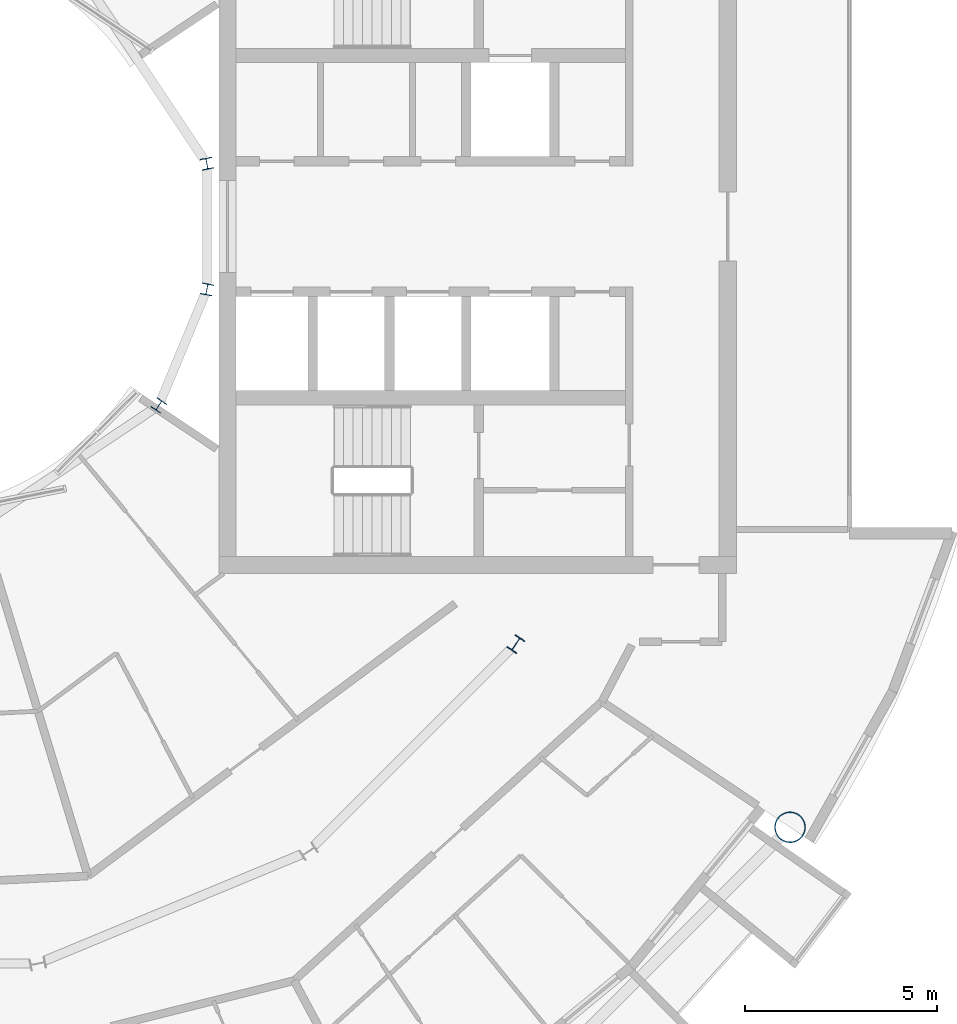
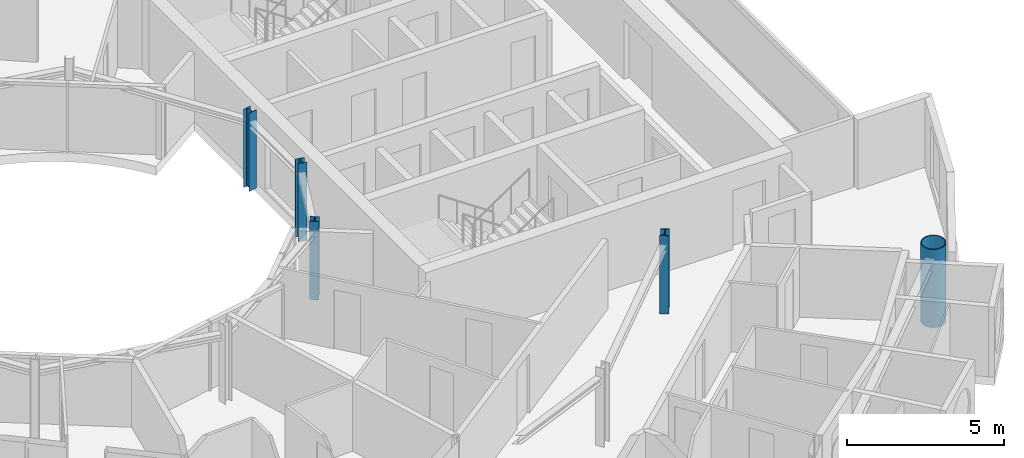
# One storey, part 3 of 29: 5 columns.
"""IFC4 building model written with IfcOpenShell, lengths in metres."""

import ifcopenshell
import ifcopenshell.guid

model = None  # the IFC model being written
_history = None  # IfcOwnerHistory: only IFC2X3 demands one
_inside = {}  # id of a spatial element -> (the spatial element, [elements in it])
_under = {}  # id of a project, library or spatial element -> (it, [spatial elements below it])
_declared = {}  # id of a project -> (the project, [libraries it declares])
_typed = {}  # id of a type object -> (the type object, [elements of that type])
_made_of = {}  # id of a material, layer set ... -> (it, [elements and type objects made of it])


def new_model(schema):
    """Start an empty IFC model of exactly this schema.

    Asked for "IFC4X3", IfcOpenShell would pick the latest addendum, in which some entities
    have other attributes; the version numbers below select the first issue.
    IFC2X3 requires an IfcOwnerHistory on every rooted entity: one is made here for all.
    """
    global model, _history
    if schema == "IFC4X3":
        model = ifcopenshell.file(schema_version=(4, 3, 0, 0))
    else:
        model = ifcopenshell.file(schema=schema)
    _inside.clear()
    _under.clear()
    _declared.clear()
    _typed.clear()
    _made_of.clear()
    _history = None
    if model.schema == "IFC2X3":
        org = make("IfcOrganization", Name="unknown")
        user = make(
            "IfcPersonAndOrganization",
            ThePerson=make("IfcPerson", FamilyName="unknown"),
            TheOrganization=org,
        )
        app = make(
            "IfcApplication",
            ApplicationDeveloper=org,
            Version="unknown",
            ApplicationFullName="unknown",
            ApplicationIdentifier="unknown",
        )
        _history = make(
            "IfcOwnerHistory",
            OwningUser=user,
            OwningApplication=app,
            ChangeAction="ADDED",
            CreationDate=0,
        )
    return model


def make(cls, **values):
    """One entity of the class cls with the attributes given. An attribute that is None is left unset."""
    return model.create_entity(
        cls, **{name: value for name, value in values.items() if value is not None}
    )


def rooted(cls, **values):
    """An entity with a GlobalId (a new one), such as an element, a storey or a relation."""
    return make(cls, GlobalId=ifcopenshell.guid.new(), OwnerHistory=_history, **values)


def si_unit(unit_type, name, prefix=None):
    """IfcSIUnit, for example si_unit("LENGTHUNIT", "METRE", prefix="MILLI")."""
    return make("IfcSIUnit", UnitType=unit_type, Prefix=prefix, Name=name)


def assignment(units):
    """IfcUnitAssignment: the units of a project."""
    return None if units is None else make("IfcUnitAssignment", Units=units)


def point(xyz):
    """IfcCartesianPoint."""
    return None if xyz is None else make("IfcCartesianPoint", Coordinates=xyz)


def direction(xyz):
    """IfcDirection."""
    return None if xyz is None else make("IfcDirection", DirectionRatios=xyz)


def frame(location, z_axis=None, x_axis=None):
    """IfcAxis2Placement3D, a coordinate frame: its origin and axes. An axis left out is left unset."""
    return make(
        "IfcAxis2Placement3D",
        Location=point(location),
        Axis=direction(z_axis),
        RefDirection=direction(x_axis),
    )


def frame_2d(location, x_axis=None):
    """IfcAxis2Placement2D, a coordinate frame in the plane: its origin and x axis."""
    return make(
        "IfcAxis2Placement2D", Location=point(location), RefDirection=direction(x_axis)
    )


def origin():
    """The frame at (0, 0, 0) with its axes left unset."""
    return frame((0.0, 0.0, 0.0))


def origin_2d():
    """The frame at (0, 0) in the plane with its x axis left unset."""
    return frame_2d((0.0, 0.0))


def place(relative_to, where):
    """IfcLocalPlacement: puts the frame where relative to a parent placement (None: the world)."""
    return make(
        "IfcLocalPlacement", PlacementRelTo=relative_to, RelativePlacement=where
    )


def context(
    kind, dimensions, precision=None, world=None, true_north=None, identifier=None
):
    """IfcGeometricRepresentationContext, for example the 3D "Model" context."""
    return make(
        "IfcGeometricRepresentationContext",
        ContextIdentifier=identifier,
        ContextType=kind,
        CoordinateSpaceDimension=dimensions,
        Precision=precision,
        WorldCoordinateSystem=world,
        TrueNorth=true_north,
    )


def subcontext(parent, identifier, kind, view, scale=None):
    """IfcGeometricRepresentationSubContext, for example "Body" below "Model"."""
    return make(
        "IfcGeometricRepresentationSubContext",
        ContextIdentifier=identifier,
        ContextType=kind,
        ParentContext=parent,
        TargetScale=scale,
        TargetView=view,
    )


def project(units=None, contexts=None):
    """IfcProject with its units and contexts."""
    return rooted(
        "IfcProject",
        Name="project",
        RepresentationContexts=contexts,
        UnitsInContext=assignment(units),
    )


def spatial(cls, under=None, at=None, **own):
    """A site, building, storey or space (cls), placed at a placement, below another one or the project."""
    s = rooted(cls, ObjectPlacement=at, **own)
    if under is not None:
        _under.setdefault(under.id(), (under, []))[1].append(s)
    return s


def profile(cls, at=None, kind="AREA", **sizes):
    """A parametric profile (cls). Its sizes go by their IFC names, for example OverallWidth=200.0."""
    return make(cls, ProfileType=kind, Position=at, **sizes)


def hollow_circle(**sizes):
    """IfcCircleHollowProfileDef."""
    return profile("IfcCircleHollowProfileDef", **sizes)


def i_section(**sizes):
    """IfcIShapeProfileDef."""
    return profile("IfcIShapeProfileDef", **sizes)


def extrude(swept, where, along, depth):
    """IfcExtrudedAreaSolid: the profile swept, set in the frame where, extruded along a direction by depth."""
    return make(
        "IfcExtrudedAreaSolid",
        SweptArea=swept,
        Position=where,
        ExtrudedDirection=direction(along),
        Depth=depth,
    )


def shape(context_of_items, identifier, shape_type, items):
    """IfcShapeRepresentation: the items that make up one representation, for example the "Body"."""
    return make(
        "IfcShapeRepresentation",
        ContextOfItems=context_of_items,
        RepresentationIdentifier=identifier,
        RepresentationType=shape_type,
        Items=items,
    )


def material(Name=None, Category=None):
    """IfcMaterial."""
    return make("IfcMaterial", Name=Name, Category=Category)


def material_profile(
    of_material, cross_section, Name=None, Category=None, Priority=None
):
    """IfcMaterialProfile: a cross section and its material."""
    return make(
        "IfcMaterialProfile",
        Name=Name,
        Material=of_material,
        Profile=cross_section,
        Priority=Priority,
        Category=Category,
    )


def profile_set(profiles, Name=None, composite=None):
    """IfcMaterialProfileSet."""
    return make(
        "IfcMaterialProfileSet",
        Name=Name,
        MaterialProfiles=profiles,
        CompositeProfile=composite,
    )


def made_of(thing, what):
    """Note that an element or type object is made of a material, layer set ...; save() writes the relation."""
    if what is not None:
        _made_of.setdefault(what.id(), (what, []))[1].append(thing)
    return thing


def type_object(cls, material=None, **own):
    """A type object (cls), such as IfcWallType, which elements share."""
    return made_of(rooted(cls, **own), material)


def element(
    cls,
    number,
    at=None,
    inside=None,
    cuts=None,
    type_object=None,
    material=None,
    context=None,
    identifier="Body",
    shape_type=None,
    held_by="IfcProductDefinitionShape",
    body=None,
    shapes=None,
    **own,
):
    """One element of the class cls, such as IfcWall. Its Tag is "e" and its number.

    at: its placement. inside: the storey or other place that contains it. cuts: it is an
    opening in that element (IfcRelVoidsElement). A single representation is given by context,
    identifier, shape_type and body (its items); several are given by shapes. held_by: the class
    of the entity that holds the representations. save() writes the other relations.
    """
    e = rooted(cls, Tag="e%d" % number, ObjectPlacement=at, **own)
    if body is not None:
        shapes = [shape(context, identifier, shape_type, body)]
    if shapes is not None:
        e.Representation = make(held_by, Representations=shapes)
    if inside is not None:
        _inside.setdefault(inside.id(), (inside, []))[1].append(e)
    if cuts is not None:
        rooted(
            "IfcRelVoidsElement", RelatingBuildingElement=cuts, RelatedOpeningElement=e
        )
    if type_object is not None:
        _typed.setdefault(type_object.id(), (type_object, []))[1].append(e)
    return made_of(e, material)


def aggregate(whole, parts):
    """IfcRelAggregates: a whole, such as a stair, and the parts it consists of."""
    return rooted("IfcRelAggregates", RelatingObject=whole, RelatedObjects=parts)


def save(model, path):
    """Write the relations noted so far, then the file.

    IfcRelAggregates (storeys below a building ...), IfcRelContainedInSpatialStructure (elements
    in a storey), IfcRelDefinesByType, IfcRelAssociatesMaterial and IfcRelDeclares: one each for
    every whole, place, type object, material and project.
    """
    for whole, parts in _under.values():
        aggregate(whole, parts)
    for where, things in _inside.values():
        rooted(
            "IfcRelContainedInSpatialStructure",
            RelatedElements=things,
            RelatingStructure=where,
        )
    for kind, things in _typed.values():
        rooted("IfcRelDefinesByType", RelatedObjects=things, RelatingType=kind)
    for what, things in _made_of.values():
        rooted("IfcRelAssociatesMaterial", RelatedObjects=things, RelatingMaterial=what)
    for by, libraries in _declared.values():
        rooted("IfcRelDeclares", RelatingContext=by, RelatedDefinitions=libraries)
    model.write(path)


model = new_model("IFC4")

# Units and contexts
model_context = context("Model", 3, precision=1e-05, world=origin(), true_north=direction((0.0, 1.0)))
body_context = subcontext(model_context, "Body", "Model", "MODEL_VIEW")
ifc_project = project(units=[si_unit("LENGTHUNIT", "METRE"), si_unit("AREAUNIT", "SQUARE_METRE"), si_unit("VOLUMEUNIT", "CUBIC_METRE"), si_unit("PLANEANGLEUNIT", "RADIAN"), si_unit("MASSUNIT", "GRAM", prefix="KILO")], contexts=[model_context])

# Site, building, storey
site_placement = place(None, origin())
site = spatial("IfcSite", under=ifc_project, at=site_placement, CompositionType="ELEMENT")
building_placement = place(site_placement, origin())
building = spatial("IfcBuilding", under=site, at=building_placement, Name="Maasbend Ring Residences", CompositionType="ELEMENT")
storey_placement = place(building_placement, frame((0.0, 0.0, 190.199951171875)))
storey = spatial("IfcBuildingStorey", under=building, at=storey_placement, Name="L54", CompositionType="ELEMENT", Elevation=190.199951171875)

# Columns
ifc_material_1 = material(Name="Composite concrete-filled steel tube S460NH / C80/95", Category="concrete")
ifc_material_profile_1 = material_profile(ifc_material_1, hollow_circle(Radius=0.406494140625, WallThickness=0.030029296875, at=origin_2d()), Name="Composite tube column CHS 813x30")
ifc_profile_set_1 = profile_set([ifc_material_profile_1], Name="Composite concrete-filled steel tube S460NH / C80/95")
column_type_1 = type_object("IfcColumnType", Name="Composite tube column CHS 813x30", PredefinedType="COLUMN", material=ifc_profile_set_1)
column_1_placement = place(storey_placement, frame((23.447509765625, -15.6669921875, 0.0), z_axis=(0.0, 0.0, 1.0), x_axis=(1.0, 0.0, 0.0)))
element("IfcColumn", 1, at=column_1_placement, inside=storey, type_object=column_type_1, Name="Outer column R15", PredefinedType="COLUMN", context=body_context, shape_type="SweptSolid", body=[
    extrude(hollow_circle(Radius=0.406494140625, WallThickness=0.030029296875, at=origin_2d()), origin(), (0.0, 0.0, 1.0), 3.050048828125),
])
ifc_material_2 = material(Name="Steel S355J2", Category="steel")
ifc_material_profile_2 = material_profile(ifc_material_2, i_section(OverallWidth=0.300048828125, OverallDepth=0.2900390625, WebThickness=0.008544921875, FlangeThickness=0.013916015625, FilletRadius=0.027099609375, at=origin_2d()), Name="HEA 300")
ifc_profile_set_2 = profile_set([ifc_material_profile_2], Name="Steel S355J2")
column_type_2 = type_object("IfcColumnType", Name="Steel column HEA 300", PredefinedType="COLUMN", material=ifc_profile_set_2)
for number, where, z_axis, x_axis, name in (
    (2, (8.238525390625, 1.638916015625, 0.0), (0.0, 0.0, 1.0), (0.980785280403, 0.195090322016, 0.0), "Well ring column R1"),
    (3, (6.984375, -4.666748046875, 0.0), (0.0, 0.0, 1.0), (0.831469612303, -0.55557023302, 0.0), "Well ring column R15"),
    (4, (8.238525390625, -1.638916015625, 0.0), (0.0, 0.0, 1.0), (0.980785280403, -0.195090322016, 0.0), "Well ring column R16"),
):
    element("IfcColumn", number, at=place(storey_placement, frame(where, z_axis=z_axis, x_axis=x_axis)), inside=storey, type_object=column_type_2, Name=name, PredefinedType="COLUMN", context=body_context, shape_type="SweptSolid", body=[
        extrude(i_section(OverallWidth=0.300048828125, OverallDepth=0.2900390625, WebThickness=0.008544921875, FlangeThickness=0.013916015625, FilletRadius=0.027099609375, at=origin_2d()), origin(), (0.0, 0.0, 1.0), 3.050048828125),
    ])
ifc_material_3 = material(Name="Steel S355J2", Category="steel")
ifc_material_profile_3 = material_profile(ifc_material_3, i_section(OverallWidth=0.300048828125, OverallDepth=0.39990234375, WebThickness=0.013427734375, FlangeThickness=0.02392578125, FilletRadius=0.027099609375, at=origin_2d()), Name="HEB 400")
ifc_profile_set_3 = profile_set([ifc_material_profile_3], Name="Steel S355J2")
column_type_3 = type_object("IfcColumnType", Name="Steel column HEB 400", PredefinedType="COLUMN", material=ifc_profile_set_3)
column_2_placement = place(storey_placement, frame((16.296875, -10.88916015625, 0.0), z_axis=(0.0, 0.0, 1.0), x_axis=(0.831469612303, -0.55557023302, 0.0)))
element("IfcColumn", 5, at=column_2_placement, inside=storey, type_object=column_type_3, Name="Corridor ring column R15", PredefinedType="COLUMN", context=body_context, shape_type="SweptSolid", body=[
    extrude(i_section(OverallWidth=0.300048828125, OverallDepth=0.39990234375, WebThickness=0.013427734375, FlangeThickness=0.02392578125, FilletRadius=0.027099609375, at=origin_2d()), origin(), (0.0, 0.0, 1.0), 3.050048828125),
])

save(model, "model.ifc")
